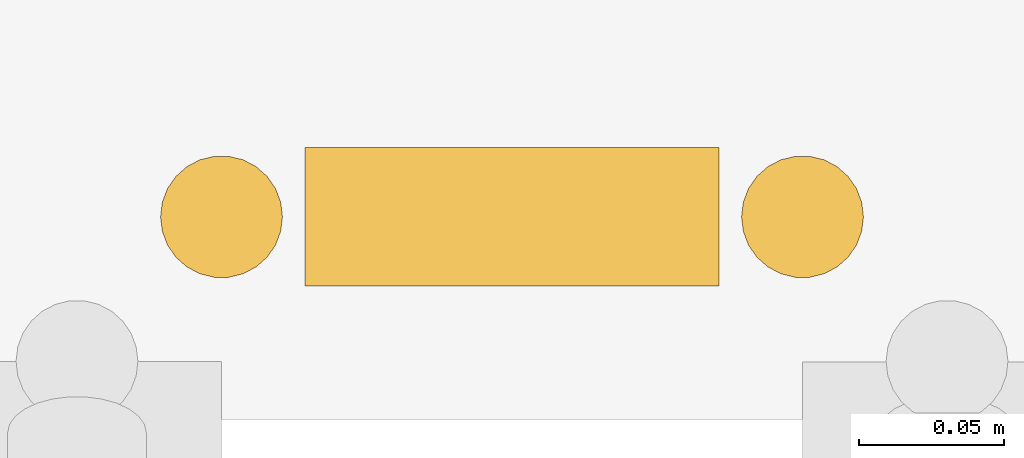
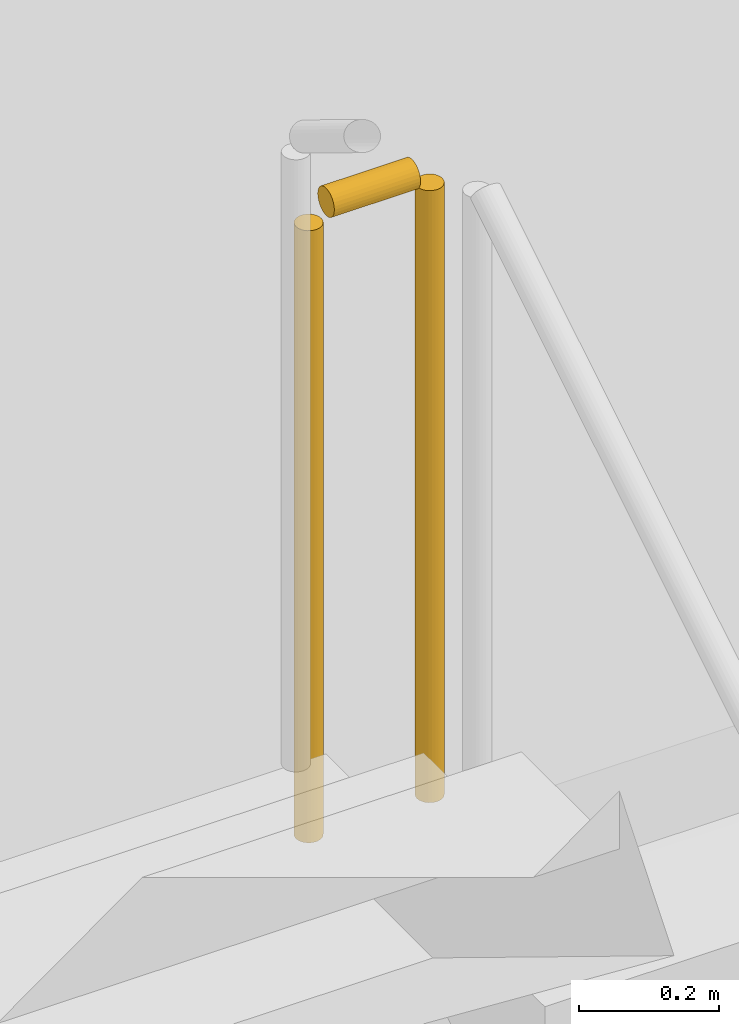
# One storey, part 30 of 36: 1 railing.
"""IFC4 building model written with IfcOpenShell, lengths in metres."""

import ifcopenshell
import ifcopenshell.guid

model = None  # the IFC model being written
_history = None  # IfcOwnerHistory: only IFC2X3 demands one
_inside = {}  # id of a spatial element -> (the spatial element, [elements in it])
_under = {}  # id of a project, library or spatial element -> (it, [spatial elements below it])
_declared = {}  # id of a project -> (the project, [libraries it declares])
_typed = {}  # id of a type object -> (the type object, [elements of that type])
_made_of = {}  # id of a material, layer set ... -> (it, [elements and type objects made of it])


def new_model(schema):
    """Start an empty IFC model of exactly this schema.

    Asked for "IFC4X3", IfcOpenShell would pick the latest addendum, in which some entities
    have other attributes; the version numbers below select the first issue.
    IFC2X3 requires an IfcOwnerHistory on every rooted entity: one is made here for all.
    """
    global model, _history
    if schema == "IFC4X3":
        model = ifcopenshell.file(schema_version=(4, 3, 0, 0))
    else:
        model = ifcopenshell.file(schema=schema)
    _inside.clear()
    _under.clear()
    _declared.clear()
    _typed.clear()
    _made_of.clear()
    _history = None
    if model.schema == "IFC2X3":
        org = make("IfcOrganization", Name="unknown")
        user = make(
            "IfcPersonAndOrganization",
            ThePerson=make("IfcPerson", FamilyName="unknown"),
            TheOrganization=org,
        )
        app = make(
            "IfcApplication",
            ApplicationDeveloper=org,
            Version="unknown",
            ApplicationFullName="unknown",
            ApplicationIdentifier="unknown",
        )
        _history = make(
            "IfcOwnerHistory",
            OwningUser=user,
            OwningApplication=app,
            ChangeAction="ADDED",
            CreationDate=0,
        )
    return model


def make(cls, **values):
    """One entity of the class cls with the attributes given. An attribute that is None is left unset."""
    return model.create_entity(
        cls, **{name: value for name, value in values.items() if value is not None}
    )


def rooted(cls, **values):
    """An entity with a GlobalId (a new one), such as an element, a storey or a relation."""
    return make(cls, GlobalId=ifcopenshell.guid.new(), OwnerHistory=_history, **values)


def si_unit(unit_type, name, prefix=None):
    """IfcSIUnit, for example si_unit("LENGTHUNIT", "METRE", prefix="MILLI")."""
    return make("IfcSIUnit", UnitType=unit_type, Prefix=prefix, Name=name)


def assignment(units):
    """IfcUnitAssignment: the units of a project."""
    return None if units is None else make("IfcUnitAssignment", Units=units)


def point(xyz):
    """IfcCartesianPoint."""
    return None if xyz is None else make("IfcCartesianPoint", Coordinates=xyz)


def direction(xyz):
    """IfcDirection."""
    return None if xyz is None else make("IfcDirection", DirectionRatios=xyz)


def frame(location, z_axis=None, x_axis=None):
    """IfcAxis2Placement3D, a coordinate frame: its origin and axes. An axis left out is left unset."""
    return make(
        "IfcAxis2Placement3D",
        Location=point(location),
        Axis=direction(z_axis),
        RefDirection=direction(x_axis),
    )


def frame_2d(location, x_axis=None):
    """IfcAxis2Placement2D, a coordinate frame in the plane: its origin and x axis."""
    return make(
        "IfcAxis2Placement2D", Location=point(location), RefDirection=direction(x_axis)
    )


def origin():
    """The frame at (0, 0, 0) with its axes left unset."""
    return frame((0.0, 0.0, 0.0))


def origin_2d():
    """The frame at (0, 0) in the plane with its x axis left unset."""
    return frame_2d((0.0, 0.0))


def place(relative_to, where):
    """IfcLocalPlacement: puts the frame where relative to a parent placement (None: the world)."""
    return make(
        "IfcLocalPlacement", PlacementRelTo=relative_to, RelativePlacement=where
    )


def context(
    kind, dimensions, precision=None, world=None, true_north=None, identifier=None
):
    """IfcGeometricRepresentationContext, for example the 3D "Model" context."""
    return make(
        "IfcGeometricRepresentationContext",
        ContextIdentifier=identifier,
        ContextType=kind,
        CoordinateSpaceDimension=dimensions,
        Precision=precision,
        WorldCoordinateSystem=world,
        TrueNorth=true_north,
    )


def subcontext(parent, identifier, kind, view, scale=None):
    """IfcGeometricRepresentationSubContext, for example "Body" below "Model"."""
    return make(
        "IfcGeometricRepresentationSubContext",
        ContextIdentifier=identifier,
        ContextType=kind,
        ParentContext=parent,
        TargetScale=scale,
        TargetView=view,
    )


def project(units=None, contexts=None):
    """IfcProject with its units and contexts."""
    return rooted(
        "IfcProject",
        Name="project",
        RepresentationContexts=contexts,
        UnitsInContext=assignment(units),
    )


def spatial(cls, under=None, at=None, **own):
    """A site, building, storey or space (cls), placed at a placement, below another one or the project."""
    s = rooted(cls, ObjectPlacement=at, **own)
    if under is not None:
        _under.setdefault(under.id(), (under, []))[1].append(s)
    return s


def profile(cls, at=None, kind="AREA", **sizes):
    """A parametric profile (cls). Its sizes go by their IFC names, for example OverallWidth=200.0."""
    return make(cls, ProfileType=kind, Position=at, **sizes)


def circle(**sizes):
    """IfcCircleProfileDef."""
    return profile("IfcCircleProfileDef", **sizes)


def extrude(swept, where, along, depth):
    """IfcExtrudedAreaSolid: the profile swept, set in the frame where, extruded along a direction by depth."""
    return make(
        "IfcExtrudedAreaSolid",
        SweptArea=swept,
        Position=where,
        ExtrudedDirection=direction(along),
        Depth=depth,
    )


def shape(context_of_items, identifier, shape_type, items):
    """IfcShapeRepresentation: the items that make up one representation, for example the "Body"."""
    return make(
        "IfcShapeRepresentation",
        ContextOfItems=context_of_items,
        RepresentationIdentifier=identifier,
        RepresentationType=shape_type,
        Items=items,
    )


def material(Name=None, Category=None):
    """IfcMaterial."""
    return make("IfcMaterial", Name=Name, Category=Category)


def made_of(thing, what):
    """Note that an element or type object is made of a material, layer set ...; save() writes the relation."""
    if what is not None:
        _made_of.setdefault(what.id(), (what, []))[1].append(thing)
    return thing


def type_object(cls, material=None, **own):
    """A type object (cls), such as IfcWallType, which elements share."""
    return made_of(rooted(cls, **own), material)


def element(
    cls,
    number,
    at=None,
    inside=None,
    cuts=None,
    type_object=None,
    material=None,
    context=None,
    identifier="Body",
    shape_type=None,
    held_by="IfcProductDefinitionShape",
    body=None,
    shapes=None,
    **own,
):
    """One element of the class cls, such as IfcWall. Its Tag is "e" and its number.

    at: its placement. inside: the storey or other place that contains it. cuts: it is an
    opening in that element (IfcRelVoidsElement). A single representation is given by context,
    identifier, shape_type and body (its items); several are given by shapes. held_by: the class
    of the entity that holds the representations. save() writes the other relations.
    """
    e = rooted(cls, Tag="e%d" % number, ObjectPlacement=at, **own)
    if body is not None:
        shapes = [shape(context, identifier, shape_type, body)]
    if shapes is not None:
        e.Representation = make(held_by, Representations=shapes)
    if inside is not None:
        _inside.setdefault(inside.id(), (inside, []))[1].append(e)
    if cuts is not None:
        rooted(
            "IfcRelVoidsElement", RelatingBuildingElement=cuts, RelatedOpeningElement=e
        )
    if type_object is not None:
        _typed.setdefault(type_object.id(), (type_object, []))[1].append(e)
    return made_of(e, material)


def aggregate(whole, parts):
    """IfcRelAggregates: a whole, such as a stair, and the parts it consists of."""
    return rooted("IfcRelAggregates", RelatingObject=whole, RelatedObjects=parts)


def save(model, path):
    """Write the relations noted so far, then the file.

    IfcRelAggregates (storeys below a building ...), IfcRelContainedInSpatialStructure (elements
    in a storey), IfcRelDefinesByType, IfcRelAssociatesMaterial and IfcRelDeclares: one each for
    every whole, place, type object, material and project.
    """
    for whole, parts in _under.values():
        aggregate(whole, parts)
    for where, things in _inside.values():
        rooted(
            "IfcRelContainedInSpatialStructure",
            RelatedElements=things,
            RelatingStructure=where,
        )
    for kind, things in _typed.values():
        rooted("IfcRelDefinesByType", RelatedObjects=things, RelatingType=kind)
    for what, things in _made_of.values():
        rooted("IfcRelAssociatesMaterial", RelatedObjects=things, RelatingMaterial=what)
    for by, libraries in _declared.values():
        rooted("IfcRelDeclares", RelatingContext=by, RelatedDefinitions=libraries)
    model.write(path)


model = new_model("IFC4")

# Units and contexts
model_context = context("Model", 3, precision=1e-05, world=origin(), true_north=direction((0.0, 1.0)))
body_context = subcontext(model_context, "Body", "Model", "MODEL_VIEW")
ifc_project = project(units=[si_unit("LENGTHUNIT", "METRE"), si_unit("AREAUNIT", "SQUARE_METRE"), si_unit("VOLUMEUNIT", "CUBIC_METRE"), si_unit("PLANEANGLEUNIT", "RADIAN"), si_unit("MASSUNIT", "GRAM", prefix="KILO")], contexts=[model_context])

# Site, building, storey
site_placement = place(None, origin())
site = spatial("IfcSite", under=ifc_project, at=site_placement, CompositionType="ELEMENT")
building_placement = place(site_placement, origin())
building = spatial("IfcBuilding", under=site, at=building_placement, Name="Zuvorla Pavilion Media Centre", CompositionType="ELEMENT")
storey_placement = place(building_placement, origin())
storey = spatial("IfcBuildingStorey", under=building, at=storey_placement, Name="L00", CompositionType="ELEMENT", Elevation=0.0)

# Railing
ifc_material = material(Name="Powder-coated steel balustrade guard", Category="steel")
railing_type = type_object("IfcRailingType", Name="RL-INT-GRD", PredefinedType="BALUSTRADE", material=ifc_material)
railing_placement = place(storey_placement, frame((44.85009765625, 41.389892578125, 2.39990234375)))
element("IfcRailing", 1, at=railing_placement, inside=storey, type_object=railing_type, Name="L00 ST-03 stair guard 2", PredefinedType="BALUSTRADE", context=body_context, shape_type="SweptSolid", body=[
    extrude(circle(Radius=0.02392578125, at=origin_2d()), frame((-0.02880859375, 0.0, 1.09619140625), z_axis=(-1.0, 0.0, 0.0), x_axis=(0.0, -1.0, 0.0)), (0.0, 0.0, 1.0), 0.142578125),
    extrude(circle(Radius=0.02099609375, at=origin_2d()), origin(), (0.0, 0.0, 1.0), 1.070068359375),
    extrude(circle(Radius=0.02099609375, at=origin_2d()), frame((-0.2001953125, 0.0, 0.0)), (0.0, 0.0, 1.0), 1.070068359375),
])

save(model, "model.ifc")
